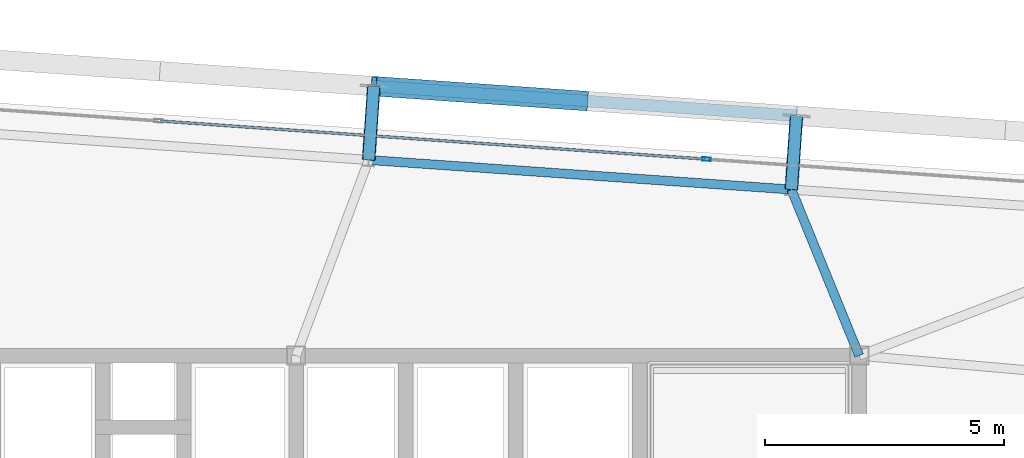
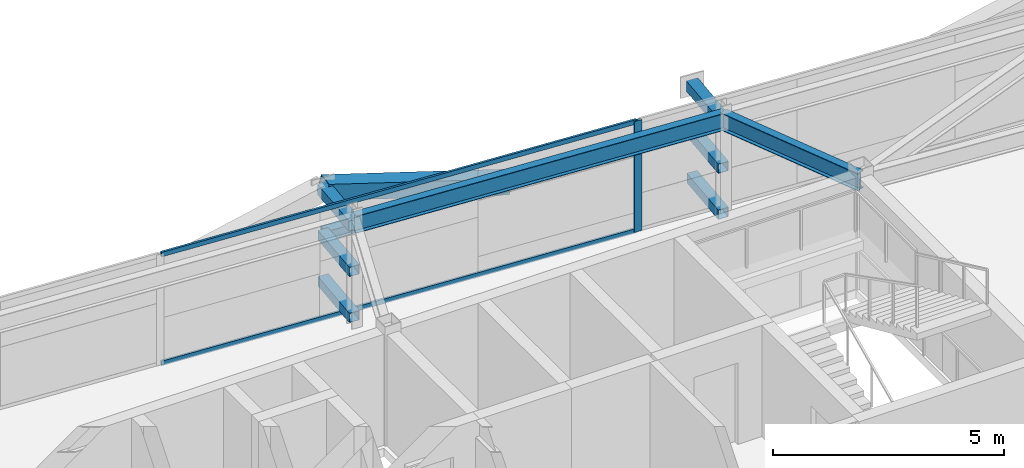
# One storey, part 23 of 39: 11 members, 2 beams, 1 element without a shape of its own.
"""IFC4 building model written with IfcOpenShell, lengths in metres."""

from ifc_helpers import new_model, si_unit, direction, frame, origin, origin_2d, place, context, subcontext, project, spatial, hollow_rectangle, i_section, extrude, source, transform, mapped, material, layer, layer_set, material_profile, profile_set, type_object, element, aggregate, save


model = new_model("IFC4")

# Units and contexts
model_context = context("Model", 3, precision=1e-05, world=origin(), true_north=direction((0.0, 1.0)))
body_context = subcontext(model_context, "Body", "Model", "MODEL_VIEW")
ifc_project = project(units=[si_unit("LENGTHUNIT", "METRE"), si_unit("AREAUNIT", "SQUARE_METRE"), si_unit("VOLUMEUNIT", "CUBIC_METRE"), si_unit("PLANEANGLEUNIT", "RADIAN"), si_unit("MASSUNIT", "GRAM", prefix="KILO")], contexts=[model_context])

# Site, building, storey
site_placement = place(None, origin())
site = spatial("IfcSite", under=ifc_project, at=site_placement, CompositionType="ELEMENT")
building_placement = place(site_placement, origin())
building = spatial("IfcBuilding", under=site, at=building_placement, Name="Taldren Reach Tower", CompositionType="ELEMENT")
storey_placement = place(building_placement, frame((0.0, 0.0, 151.89990234375)))
storey = spatial("IfcBuildingStorey", under=building, at=storey_placement, Name="L46", CompositionType="ELEMENT", Elevation=151.89990234375)

# Members
ifc_material_1 = material(Name="Steel Gr 450 (C450L0)", Category="steel")
ifc_material_profile_1 = material_profile(ifc_material_1, hollow_rectangle(XDim=0.27490234375, YDim=0.27490234375, WallThickness=0.00927734375, at=origin_2d()), Name="275x275x9.3SHS")
ifc_profile_set_1 = profile_set([ifc_material_profile_1], Name="Steel Gr 450 (C450L0)")
member_type_1 = type_object("IfcMemberType", Name="MB-TIE273", PredefinedType="STRUT", material=ifc_profile_set_1)
shared_shape_1 = source(origin(), body_context, "Body", "SweptSolid", [
    extrude(hollow_rectangle(XDim=0.27490234375, YDim=0.27490234375, WallThickness=0.00927734375, at=origin_2d()), origin(), (0.0, 0.0, 1.0), 1.550048828125),
])
for number, where, z_axis, x_axis, name in (
    (1, (40.7197265625, 36.100341796875, 2.650146484375), (0.06976957191, 0.99756313426, 0.0), (-0.99756313426, 0.06976957191, 0.0), "Exoskeleton diaphragm tie strut B3-N4 L46"),
    (2, (49.578125, 35.48095703125, 2.650146484375), (0.06976957191, 0.99756313426, 0.0), (-0.99756313426, 0.06976957191, 0.0), "Exoskeleton diaphragm tie strut B3-N5 L46"),
):
    element("IfcMember", number, at=place(storey_placement, frame(where, z_axis=z_axis, x_axis=x_axis)), inside=storey, type_object=member_type_1, Name=name, PredefinedType="STRUT", context=body_context, shape_type="MappedRepresentation", body=[
        mapped(shared_shape_1, transform((0.0, 0.0, 0.0), scale=1.0)),
    ])
ifc_material_2 = material(Name="Steel Gr 350 (C350L0)", Category="steel")
ifc_material_profile_2 = material_profile(ifc_material_2, hollow_rectangle(XDim=0.25, YDim=0.25, WallThickness=0.010009765625, at=origin_2d()), Name="250x250x10.0SHS")
ifc_profile_set_2 = profile_set([ifc_material_profile_2], Name="Steel Gr 350 (C350L0)")
member_type_2 = type_object("IfcMemberType", Name="MB-POST250", PredefinedType="POST", material=ifc_profile_set_2)
shared_shape_2 = source(origin(), body_context, "Body", "SweptSolid", [
    extrude(hollow_rectangle(XDim=0.25, YDim=0.25, WallThickness=0.010009765625, at=origin_2d()), origin(), (0.0, 0.0, 1.0), 1.550048828125),
])
for number, where, z_axis, x_axis, name in (
    (3, (40.7197265625, 36.100341796875, 0.22021484375), (0.06976957191, 0.99756313426, 0.0), (-0.99756313426, 0.06976957191, 0.0), "Exoskeleton base diaphragm tie strut B3-N4 L46"),
    (4, (49.578125, 35.48095703125, 0.22021484375), (0.06976957191, 0.99756313426, 0.0), (-0.99756313426, 0.06976957191, 0.0), "Exoskeleton base diaphragm tie strut B3-N5 L46"),
    (5, (40.7197265625, 36.100341796875, 1.43505859375), (0.06976957191, 0.99756313426, 0.0), (-0.99756313426, 0.06976957191, 0.0), "Exoskeleton mid-tier diaphragm tie B3-N4 L46"),
    (6, (49.578125, 35.48095703125, 1.43505859375), (0.06976957191, 0.99756313426, 0.0), (-0.99756313426, 0.06976957191, 0.0), "Exoskeleton mid-tier diaphragm tie B3-N5 L46"),
):
    element("IfcMember", number, at=place(storey_placement, frame(where, z_axis=z_axis, x_axis=x_axis)), inside=storey, type_object=member_type_2, Name=name, PredefinedType="POST", context=body_context, shape_type="MappedRepresentation", body=[
        mapped(shared_shape_2, transform((0.0, 0.0, 0.0), scale=1.0)),
    ])

# Beams
ifc_material_3 = material(Name="Steel Gr 350 (350PLUS)", Category="steel")
ifc_material_profile_3 = material_profile(ifc_material_3, i_section(OverallWidth=0.18994140625, OverallDepth=0.4541015625, WebThickness=0.008544921875, FlangeThickness=0.0126953125, at=origin_2d()), Name="460UB67.1")
ifc_profile_set_3 = profile_set([ifc_material_profile_3], Name="Steel Gr 350 (350PLUS)")
beam_type_1 = type_object("IfcBeamType", Name="SP-UB460B", PredefinedType="SPANDREL", material=ifc_profile_set_3)
shared_shape_3 = source(origin(), body_context, "Body", "SweptSolid", [
    extrude(i_section(OverallWidth=0.18994140625, OverallDepth=0.4541015625, WebThickness=0.008544921875, FlangeThickness=0.0126953125, at=origin_2d()), origin(), (0.0, 0.0, 1.0), 8.880126953125),
])
beam_1_placement = place(storey_placement, frame((49.578125, 35.48095703125, 2.703125), z_axis=(-0.997564479639, 0.069750333063, 0.0), x_axis=(-0.069750333063, -0.997564479639, 0.0)))
element("IfcBeam", 7, at=beam_1_placement, inside=storey, type_object=beam_type_1, Name="Perimeter spandrel B3 N5-N4 L46", PredefinedType="SPANDREL", context=body_context, shape_type="MappedRepresentation", body=[
    mapped(shared_shape_3, transform((0.0, 0.0, 0.0), scale=1.0)),
])
ifc_material_profile_4 = material_profile(ifc_material_3, i_section(OverallWidth=0.19091796875, OverallDepth=0.4599609375, WebThickness=0.010009765625, FlangeThickness=0.01611328125, at=origin_2d()), Name="460UB82.1")
ifc_profile_set_4 = profile_set([ifc_material_profile_4], Name="Steel Gr 350 (350PLUS)")
beam_type_2 = type_object("IfcBeamType", Name="BM-UB460A", PredefinedType="BEAM", material=ifc_profile_set_4)
shared_shape_4 = source(origin(), body_context, "Body", "SweptSolid", [
    extrude(i_section(OverallWidth=0.19091796875, OverallDepth=0.4599609375, WebThickness=0.010009765625, FlangeThickness=0.01611328125, at=origin_2d()), origin(), (0.0, 0.0, 1.0), 3.76025390625),
])
beam_2_placement = place(storey_placement, frame((51.0, 32.0, 2.7001953125), z_axis=(-0.37814232545, 0.925747471886, 0.0), x_axis=(-0.925747471886, -0.37814232545, 0.0)))
element("IfcBeam", 8, at=beam_2_placement, inside=storey, type_object=beam_type_2, Name="Primary floor girder B3-N5 L46", PredefinedType="BEAM", context=body_context, shape_type="MappedRepresentation", body=[
    mapped(shared_shape_4, transform((0.0, 0.0, 0.0), scale=1.0)),
])

# Members
shared_shape_5 = source(origin(), body_context, "Body", "SweptSolid", [
    extrude(hollow_rectangle(XDim=0.25, YDim=0.25, WallThickness=0.010009765625, at=origin_2d()), origin(), (0.0, 0.0, 1.0), 8.880126953125),
])
member_1_placement = place(storey_placement, frame((40.827880859375, 37.646728515625, 1.43505859375), z_axis=(0.997564479639, -0.069750333063, 0.0), x_axis=(0.069750333063, 0.997564479639, 0.0)))
element("IfcMember", 9, at=member_1_placement, inside=storey, type_object=member_type_2, Name="Exoskeleton mid-height ring chord B3-N4 L46", PredefinedType="POST", context=body_context, shape_type="MappedRepresentation", body=[
    mapped(shared_shape_5, transform((0.0, 0.0, 0.0), scale=1.0)),
])
ifc_material_profile_5 = material_profile(ifc_material_1, hollow_rectangle(XDim=0.409912109375, YDim=0.409912109375, WallThickness=0.01611328125, at=origin_2d()), Name="410x410x16.0SHS")
ifc_profile_set_5 = profile_set([ifc_material_profile_5], Name="Steel Gr 450 (C450L0)")
member_type_3 = type_object("IfcMemberType", Name="MB-EXO406", PredefinedType="BRACE", material=ifc_profile_set_5)
shared_shape_6 = source(origin(), body_context, "Body", "SweptSolid", [
    extrude(hollow_rectangle(XDim=0.409912109375, YDim=0.409912109375, WallThickness=0.01611328125, at=origin_2d()), origin(), (0.0, 0.0, 1.0), 4.603271484375),
])
member_2_placement = place(storey_placement, frame((45.257080078125, 37.3369140625, 1.43505859375), z_axis=(-0.962182351074, 0.067302910567, 0.263961060594), x_axis=(-0.06977769246, -0.997562566276, 0.0)))
element("IfcMember", 10, at=member_2_placement, inside=storey, type_object=member_type_3, Name="Exoskeleton Diagrid Brace B3-N4 L46", PredefinedType="BRACE", context=body_context, shape_type="MappedRepresentation", body=[
    mapped(shared_shape_6, transform((0.0, 0.0, 0.0), scale=1.0)),
])

# Curtain wall, members
ifc_material_4 = material(Name="Aluminium and Low-E Glass Unitised System", Category="aluminium")
ifc_layer = layer(ifc_material_4, 0.159912109375)
ifc_layer_set = layer_set([ifc_layer], Name="Aluminium and Low-E Glass Unitised System")
curtain_wall_type = type_object("IfcCurtainWallType", Name="CW-SYS-4", PredefinedType="NOTDEFINED", material=ifc_layer_set)
curtain_wall_placement = place(storey_placement, origin())
curtain_wall = element("IfcCurtainWall", 11, at=curtain_wall_placement, inside=storey, type_object=curtain_wall_type, Name="Unitised curtain wall CW-L46-N", PredefinedType="NOTDEFINED")
ifc_material_5 = material(Name="Anodised Aluminium 6063-T6", Category="aluminium")
ifc_material_profile_6 = material_profile(ifc_material_5, hollow_rectangle(XDim=0.070068359375, YDim=0.179931640625, WallThickness=0.00390625, at=origin_2d()), Name="ALU-180x70x4RHS")
ifc_profile_set_6 = profile_set([ifc_material_profile_6], Name="Anodised Aluminium 6063-T6")
member_type_4 = type_object("IfcMemberType", Name="CW-MUL-180", PredefinedType="MULLION", material=ifc_profile_set_6)
shared_shape_7 = source(origin(), body_context, "Body", "SweptSolid", [
    extrude(hollow_rectangle(XDim=0.070068359375, YDim=0.179931640625, WallThickness=0.00390625, at=origin_2d()), origin(), (0.0, 0.0, 1.0), 2.93017578125),
])
member_3_placement = place(storey_placement, frame((47.798095703125, 36.11669921875, 0.0), z_axis=(0.0, 0.0, 1.0), x_axis=(-0.06975651593, -0.99756404731, 0.0)))
member_3 = element("IfcMember", 12, at=member_3_placement, type_object=member_type_4, Name="CW-4 mullion 2", PredefinedType="MULLION", context=body_context, shape_type="MappedRepresentation", body=[
    mapped(shared_shape_7, transform((0.0, 0.0, 0.0), scale=1.0)),
])
ifc_material_profile_7 = material_profile(ifc_material_5, hollow_rectangle(XDim=0.054931640625, YDim=0.1201171875, WallThickness=0.0029296875, at=origin_2d()), Name="ALU-120x55x3RHS")
ifc_profile_set_7 = profile_set([ifc_material_profile_7], Name="Anodised Aluminium 6063-T6")
member_type_5 = type_object("IfcMemberType", Name="CW-TRN-135", PredefinedType="USERDEFINED", material=ifc_profile_set_7)
shared_shape_8 = source(origin(), body_context, "Body", "SweptSolid", [
    extrude(hollow_rectangle(XDim=0.054931640625, YDim=0.1201171875, WallThickness=0.0029296875, at=origin_2d()), origin(), (0.0, 0.0, 1.0), 11.429931640625),
])
member_4_placement = place(storey_placement, frame((47.76318359375, 36.119140625, 0.027587890625), z_axis=(-0.997563740938, 0.069760897114, 0.0), x_axis=(-0.069760897114, -0.997563740938, 0.0)))
member_4 = element("IfcMember", 13, at=member_4_placement, type_object=member_type_5, Name="CW-4 transom 2.1", ObjectType="TRANSOM", PredefinedType="USERDEFINED", context=body_context, shape_type="MappedRepresentation", body=[
    mapped(shared_shape_8, transform((0.0, 0.0, 0.0), scale=1.0)),
])
member_5_placement = place(storey_placement, frame((47.76318359375, 36.119140625, 2.902587890625), z_axis=(-0.997563740938, 0.069760897114, 0.0), x_axis=(-0.069760897114, -0.997563740938, 0.0)))
member_5 = element("IfcMember", 14, at=member_5_placement, type_object=member_type_5, Name="CW-4 transom 2.2", ObjectType="TRANSOM", PredefinedType="USERDEFINED", context=body_context, shape_type="MappedRepresentation", body=[
    mapped(shared_shape_8, transform((0.0, 0.0, 0.0), scale=1.0)),
])
aggregate(curtain_wall, [member_3, member_4, member_5])

save(model, "model.ifc")
